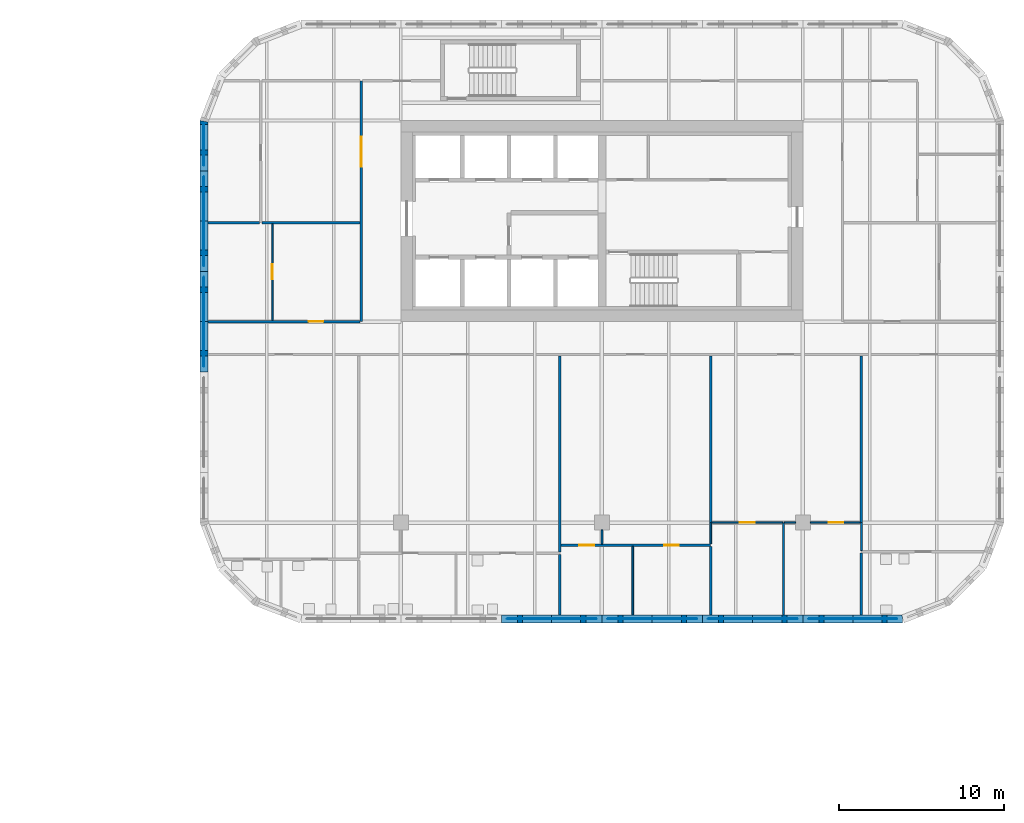
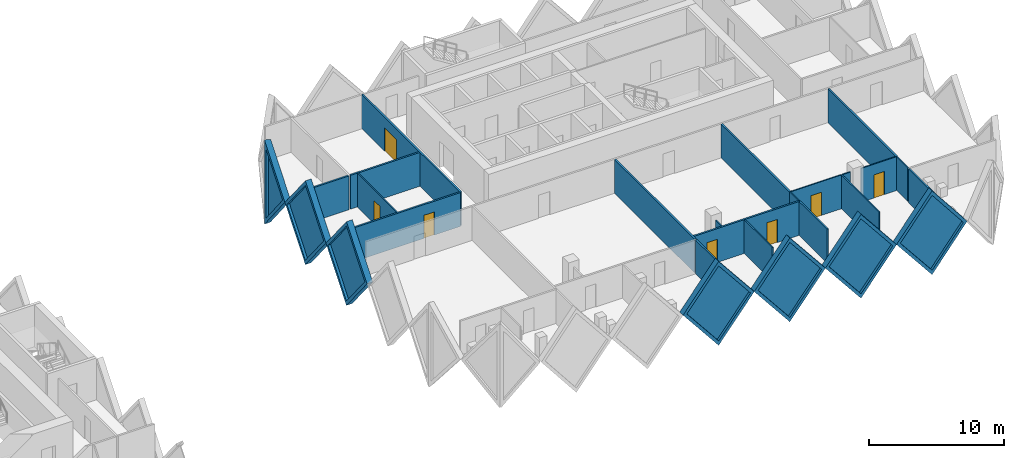
# One storey, part 12 of 20: 27 walls, 7 doors, 7 plates, 14 openings.
"""IFC4 building model written with IfcOpenShell, lengths in metres."""

from ifc_helpers import new_model, si_unit, direction, frame, frame_2d, origin, place, context, subcontext, project, spatial, polyline, rectangle, outline, extrude, faceted_brep, source, transform, mapped, material, layer, layer_set, type_object, element, fill, save


model = new_model("IFC4")

# Units and contexts
model_context = context("Model", 3, precision=1e-05, world=origin(), true_north=direction((0.0, 1.0)))
body_context = subcontext(model_context, "Body", "Model", "MODEL_VIEW")
ifc_project = project(units=[si_unit("LENGTHUNIT", "METRE"), si_unit("AREAUNIT", "SQUARE_METRE"), si_unit("VOLUMEUNIT", "CUBIC_METRE"), si_unit("PLANEANGLEUNIT", "RADIAN"), si_unit("MASSUNIT", "GRAM", prefix="KILO")], contexts=[model_context])

# Site, building, storey
site_placement = place(None, origin())
site = spatial("IfcSite", under=ifc_project, at=site_placement, CompositionType="ELEMENT")
building_placement = place(site_placement, origin())
building = spatial("IfcBuilding", under=site, at=building_placement, Name="Tessera Gate Towers", CompositionType="ELEMENT")
storey_placement = place(building_placement, frame((0.0, 0.0, 52.39990234375)))
storey = spatial("IfcBuildingStorey", under=building, at=storey_placement, Name="L12", CompositionType="ELEMENT", Elevation=52.39990234375)

# Wall, opening, door
ifc_material_1 = material(Name="Gypsum board on steel studs, mineral wool", Category="steel")
ifc_layer_1 = layer(ifc_material_1, 0.14990234375)
ifc_layer_set_1 = layer_set([ifc_layer_1], Name="CORRIDOR WALL 150")
wall_type_1 = type_object("IfcWallType", Name="CORRIDOR WALL 150", PredefinedType="PARTITIONING", material=ifc_layer_set_1)
wall_1_placement = place(storey_placement, frame((85.89990234375, 36.60009765625, 0.0), z_axis=(0.0, 0.0, 1.0), x_axis=(1.0, 0.0, 0.0)))
wall_1 = element("IfcWall", 1, at=wall_1_placement, inside=storey, type_object=wall_type_1, Name="T2-L12-PW-025", PredefinedType="PARTITIONING", context=body_context, shape_type="SweptSolid", body=[
    extrude(rectangle(XDim=9.22412109375, YDim=0.14990234375, at=frame_2d((4.612060546875, 0.0))), origin(), (0.0, 0.0, 1.0), 3.067138671875),
])
shared_shape_1 = source(origin(), body_context, "Body", "SweptSolid", [
    extrude(rectangle(XDim=0.89990234375, YDim=2.10009765625, at=frame_2d((0.449951171875, 1.050048828125))), frame((0.0, 0.0849609375, 0.0), z_axis=(0.0, -1.0, 0.0), x_axis=(1.0, 0.0, 0.0)), (0.0, 0.0, 1.0), 0.169921875),
])
opening_1_placement = place(wall_1_placement, frame((6.10009765625, 0.0, 0.0)))
opening_1 = element("IfcOpeningElement", 2, at=opening_1_placement, cuts=wall_1, Name="Opening D890FD60-B05-02", PredefinedType="OPENING", context=body_context, shape_type="MappedRepresentation", body=[
    mapped(shared_shape_1, transform((0.0, 0.0, 0.0), scale=1.0)),
])
ifc_material_2 = material(Name="Timber door leaf in steel frame", Category="steel")
door_type_1 = type_object("IfcDoorType", Name="CORRIDOR DOOR 900 FD60", OperationType="NOTDEFINED", PredefinedType="DOOR", material=ifc_material_2)
shared_shape_2 = source(origin(), body_context, "Body", "SweptSolid", [
    extrude(rectangle(XDim=0.89990234375, YDim=2.10009765625, at=frame_2d((0.449951171875, 1.050048828125))), frame((0.0, 0.02490234375, 0.0), z_axis=(0.0, -1.0, 0.0), x_axis=(1.0, 0.0, 0.0)), (0.0, 0.0, 1.0), 0.050048828125),
])
door_1_placement = place(opening_1_placement, origin())
door_1 = element("IfcDoor", 3, at=door_1_placement, inside=storey, type_object=door_type_1, Name="T2-L12-PD-022", OperationType="SINGLE_SWING_LEFT", OverallHeight=2.10009765625, OverallWidth=0.89990234375, PredefinedType="DOOR", context=body_context, shape_type="MappedRepresentation", body=[
    mapped(shared_shape_2, transform((0.0, 0.0, 0.0), scale=1.0)),
])
fill(opening_1, door_1)

wall_2_placement = place(storey_placement, frame((95.199951171875, 36.60009765625, 0.0), z_axis=(0.0, 0.0, 1.0), x_axis=(0.0, 1.0, 0.0)))
wall_2 = element("IfcWall", 4, at=wall_2_placement, inside=storey, type_object=wall_type_1, Name="T2-L12-PW-026", PredefinedType="PARTITIONING", context=body_context, shape_type="SweptSolid", body=[
    extrude(rectangle(XDim=14.599853515625, YDim=0.14990234375, at=frame_2d((7.2998046875, 0.0))), origin(), (0.0, 0.0, 1.0), 3.067138671875),
])
shared_shape_3 = source(origin(), body_context, "Body", "SweptSolid", [
    extrude(rectangle(XDim=1.800048828125, YDim=2.10009765625, at=frame_2d((0.89990234375, 1.050048828125))), frame((0.0, 0.0849609375, 0.0), z_axis=(0.0, -1.0, 0.0), x_axis=(1.0, 0.0, 0.0)), (0.0, 0.0, 1.0), 0.169921875),
])
opening_2_placement = place(wall_2_placement, frame((9.39990234375, 0.0, 0.0)))
opening_2 = element("IfcOpeningElement", 5, at=opening_2_placement, cuts=wall_2, Name="Opening D2180FD60-B05-01", PredefinedType="OPENING", context=body_context, shape_type="MappedRepresentation", body=[
    mapped(shared_shape_3, transform((0.0, 0.0, 0.0), scale=1.0)),
])
ifc_material_3 = material(Name="Timber door leaf in steel frame", Category="steel")
door_type_2 = type_object("IfcDoorType", Name="TENANCY ENTRANCE DOUBLE DOOR 1800 FD60", OperationType="NOTDEFINED", PredefinedType="DOOR", material=ifc_material_3)
shared_shape_4 = source(origin(), body_context, "Body", "SweptSolid", [
    extrude(rectangle(XDim=1.800048828125, YDim=2.10009765625, at=frame_2d((0.89990234375, 1.050048828125))), frame((0.0, 0.02490234375, 0.0), z_axis=(0.0, -1.0, 0.0), x_axis=(1.0, 0.0, 0.0)), (0.0, 0.0, 1.0), 0.050048828125),
])
door_2_placement = place(opening_2_placement, origin())
door_2 = element("IfcDoor", 6, at=door_2_placement, inside=storey, type_object=door_type_2, Name="T2-L12-PD-016", OperationType="DOUBLE_DOOR_SINGLE_SWING", OverallHeight=2.10009765625, OverallWidth=1.800048828125, PredefinedType="DOOR", context=body_context, shape_type="MappedRepresentation", body=[
    mapped(shared_shape_4, transform((0.0, 0.0, 0.0), scale=1.0)),
])
fill(opening_2, door_2)

# Walls
ifc_material_4 = material(Name="Glass", Category="glass")
ifc_layer_2 = layer(ifc_material_4, 0.10009765625)
ifc_layer_set_2 = layer_set([ifc_layer_2], Name="GLAZED PARTITION 100")
wall_type_2 = type_object("IfcWallType", Name="GLAZED PARTITION 100", PredefinedType="PARTITIONING", material=ifc_layer_set_2)
wall_3_placement = place(storey_placement, frame((125.550048828125, 22.700927734375, 0.0), z_axis=(0.0, 0.0, 1.0), x_axis=(0.0, 1.0, 0.0)))
element("IfcWall", 7, at=wall_3_placement, inside=storey, type_object=wall_type_2, Name="T2-L12-PW-014", PredefinedType="PARTITIONING", context=body_context, shape_type="SweptSolid", body=[
    extrude(rectangle(XDim=1.697998046875, YDim=0.10009765625, at=frame_2d((0.84912109375, 0.0))), origin(), (0.0, 0.0, 1.0), 3.067138671875),
])
wall_4_placement = place(storey_placement, frame((116.39990234375, 23.10107421875, 0.0), z_axis=(0.0, 0.0, 1.0), x_axis=(0.0, 1.0, 0.0)))
element("IfcWall", 8, at=wall_4_placement, inside=storey, type_object=wall_type_2, Name="T2-L12-PW-016", PredefinedType="PARTITIONING", context=body_context, shape_type="SweptSolid", body=[
    extrude(rectangle(XDim=1.2978515625, YDim=0.10009765625, at=frame_2d((0.64892578125, 0.0))), origin(), (0.0, 0.0, 1.0), 3.067138671875),
])

# Wall, opening, door
wall_5_placement = place(storey_placement, frame((120.769287109375, 24.39990234375, 0.0), z_axis=(0.0, 0.0, 1.0), x_axis=(-1.0, 0.0, 0.0)))
wall_5 = element("IfcWall", 9, at=wall_5_placement, inside=storey, type_object=wall_type_2, Name="T2-L12-PW-020", PredefinedType="PARTITIONING", context=body_context, shape_type="SweptSolid", body=[
    extrude(rectangle(XDim=4.293212890625, YDim=0.10009765625, at=frame_2d((2.146484375, 0.0))), origin(), (0.0, 0.0, 1.0), 3.067138671875),
])
shared_shape_5 = source(origin(), body_context, "Body", "SweptSolid", [
    extrude(rectangle(XDim=0.89990234375, YDim=2.10009765625, at=frame_2d((0.449951171875, 1.050048828125))), frame((0.0, 0.06005859375, 0.0), z_axis=(0.0, -1.0, 0.0), x_axis=(1.0, 0.0, 0.0)), (0.0, 0.0, 1.0), 0.1201171875),
])
opening_3_placement = place(wall_5_placement, frame((1.693359375, 0.0, 0.0)))
opening_3 = element("IfcOpeningElement", 10, at=opening_3_placement, cuts=wall_5, Name="Opening D690-B05-02", PredefinedType="OPENING", context=body_context, shape_type="MappedRepresentation", body=[
    mapped(shared_shape_5, transform((0.0, 0.0, 0.0), scale=1.0)),
])
ifc_material_5 = material(Name="Glass in aluminium frame", Category="aluminium")
door_type_3 = type_object("IfcDoorType", Name="GLAZED DOOR 900 NOT RATED", OperationType="NOTDEFINED", PredefinedType="DOOR", material=ifc_material_5)
door_3_placement = place(opening_3_placement, origin())
door_3 = element("IfcDoor", 11, at=door_3_placement, inside=storey, type_object=door_type_3, Name="T2-L12-PD-004", OperationType="SINGLE_SWING_RIGHT", OverallHeight=2.10009765625, OverallWidth=0.89990234375, PredefinedType="DOOR", context=body_context, shape_type="MappedRepresentation", body=[
    mapped(shared_shape_2, transform((0.0, 0.0, 0.0), scale=1.0)),
])
fill(opening_3, door_3)

# Wall
wall_6_placement = place(storey_placement, frame((120.871337890625, 24.39990234375, 0.0), z_axis=(0.0, 0.0, 1.0), x_axis=(1.0, 0.0, 0.0)))
element("IfcWall", 12, at=wall_6_placement, inside=storey, type_object=wall_type_2, Name="T2-L12-PW-021", PredefinedType="PARTITIONING", context=body_context, shape_type="SweptSolid", body=[
    extrude(rectangle(XDim=0.677734375, YDim=0.10009765625, at=frame_2d((0.3388671875, 0.0))), origin(), (0.0, 0.0, 1.0), 3.067138671875),
])

# Wall, opening, door
wall_7_placement = place(storey_placement, frame((125.47412109375, 24.39990234375, 0.0), z_axis=(0.0, 0.0, 1.0), x_axis=(-1.0, 0.0, 0.0)))
wall_7 = element("IfcWall", 13, at=wall_7_placement, inside=storey, type_object=wall_type_2, Name="T2-L12-PW-022", PredefinedType="PARTITIONING", context=body_context, shape_type="SweptSolid", body=[
    extrude(rectangle(XDim=3.023193359375, YDim=0.10009765625, at=frame_2d((1.51171875, 0.0))), origin(), (0.0, 0.0, 1.0), 3.067138671875),
])
opening_4_placement = place(wall_7_placement, frame((1.02294921875, 0.0, 0.0)))
opening_4 = element("IfcOpeningElement", 14, at=opening_4_placement, cuts=wall_7, Name="Opening D690-B05-01", PredefinedType="OPENING", context=body_context, shape_type="MappedRepresentation", body=[
    mapped(shared_shape_5, transform((0.0, 0.0, 0.0), scale=1.0)),
])
door_4_placement = place(opening_4_placement, origin())
door_4 = element("IfcDoor", 15, at=door_4_placement, inside=storey, type_object=door_type_3, Name="T2-L12-PD-002", OperationType="SINGLE_SWING_RIGHT", OverallHeight=2.10009765625, OverallWidth=0.89990234375, PredefinedType="DOOR", context=body_context, shape_type="MappedRepresentation", body=[
    mapped(shared_shape_2, transform((0.0, 0.0, 0.0), scale=1.0)),
])
fill(opening_4, door_4)

wall_8_placement = place(storey_placement, frame((89.800048828125, 36.676025390625, 0.0), z_axis=(0.0, 0.0, 1.0), x_axis=(0.0, 1.0, 0.0)))
wall_8 = element("IfcWall", 16, at=wall_8_placement, inside=storey, type_object=wall_type_2, Name="T2-L12-PW-029", PredefinedType="PARTITIONING", context=body_context, shape_type="SweptSolid", body=[
    extrude(rectangle(XDim=5.847900390625, YDim=0.10009765625, at=frame_2d((2.923828125, 0.0))), origin(), (0.0, 0.0, 1.0), 3.067138671875),
])
opening_5_placement = place(wall_8_placement, frame((2.5, 0.0, 0.0)))
opening_5 = element("IfcOpeningElement", 17, at=opening_5_placement, cuts=wall_8, Name="Opening D690-B05-03", PredefinedType="OPENING", context=body_context, shape_type="MappedRepresentation", body=[
    mapped(shared_shape_5, transform((0.0, 0.0, 0.0), scale=1.0)),
])
door_5_placement = place(opening_5_placement, origin())
door_5 = element("IfcDoor", 18, at=door_5_placement, inside=storey, type_object=door_type_3, Name="T2-L12-PD-010", OperationType="SINGLE_SWING_LEFT", OverallHeight=2.10009765625, OverallWidth=0.89990234375, PredefinedType="DOOR", context=body_context, shape_type="MappedRepresentation", body=[
    mapped(shared_shape_2, transform((0.0, 0.0, 0.0), scale=1.0)),
])
fill(opening_5, door_5)

# Walls
ifc_material_6 = material(Name="Gypsum board on steel studs", Category="steel")
ifc_layer_3 = layer(ifc_material_6, 0.10009765625)
ifc_layer_set_3 = layer_set([ifc_layer_3], Name="PARTITION 100")
wall_type_3 = type_object("IfcWallType", Name="PARTITION 100", PredefinedType="PARTITIONING", material=ifc_layer_set_3)
wall_9_placement = place(storey_placement, frame((111.669921875, 18.800048828125, 0.0), z_axis=(0.0, 0.0, 1.0), x_axis=(0.0, 1.0, 0.0)))
element("IfcWall", 19, at=wall_9_placement, inside=storey, type_object=wall_type_3, Name="T2-L12-PW-004", PredefinedType="PARTITIONING", context=body_context, shape_type="SweptSolid", body=[
    extrude(rectangle(XDim=4.14892578125, YDim=0.10009765625, at=frame_2d((2.074462890625, 0.0))), origin(), (0.0, 0.0, 1.0), 3.067138671875),
])
wall_10_placement = place(storey_placement, frame((120.820068359375, 18.800048828125, 0.0), z_axis=(0.0, 0.0, 1.0), x_axis=(0.0, 1.0, 0.0)))
element("IfcWall", 20, at=wall_10_placement, inside=storey, type_object=wall_type_3, Name="T2-L12-PW-006", PredefinedType="PARTITIONING", context=body_context, shape_type="SweptSolid", body=[
    extrude(rectangle(XDim=5.599853515625, YDim=0.10009765625, at=frame_2d((2.7998046875, 0.0))), origin(), (0.0, 0.0, 1.0), 3.067138671875),
])
wall_11_placement = place(storey_placement, frame((109.800048828125, 23.949951171875, 0.0), z_axis=(0.0, 0.0, 1.0), x_axis=(0.0, -1.0, 0.0)))
element("IfcWall", 21, at=wall_11_placement, inside=storey, type_object=wall_type_3, Name="T2-L12-PW-018", PredefinedType="PARTITIONING", context=body_context, shape_type="SweptSolid", body=[
    extrude(rectangle(XDim=0.849853515625, YDim=0.10009765625, at=frame_2d((0.4248046875, 0.0))), origin(), (0.0, 0.0, 1.0), 3.067138671875),
])
ifc_material_7 = material(Name="Gypsum board on steel studs, mineral wool", Category="steel")
ifc_layer_4 = layer(ifc_material_7, 0.14990234375)
ifc_layer_set_4 = layer_set([ifc_layer_4], Name="TENANCY WALL 150")
wall_type_4 = type_object("IfcWallType", Name="TENANCY WALL 150", PredefinedType="PARTITIONING", material=ifc_layer_set_4)
wall_12_placement = place(storey_placement, frame((107.25, 18.800048828125, 0.0), z_axis=(0.0, 0.0, 1.0), x_axis=(0.0, 1.0, 0.0)))
element("IfcWall", 22, at=wall_12_placement, inside=storey, type_object=wall_type_4, Name="T2-L12-PW-003", PredefinedType="PARTITIONING", context=body_context, shape_type="SweptSolid", body=[
    extrude(rectangle(XDim=3.674072265625, YDim=0.14990234375, at=frame_2d((1.8369140625, 0.0))), origin(), (0.0, 0.0, 1.0), 3.067138671875),
])
wall_13_placement = place(storey_placement, frame((116.39990234375, 18.800048828125, 0.0), z_axis=(0.0, 0.0, 1.0), x_axis=(0.0, 1.0, 0.0)))
element("IfcWall", 23, at=wall_13_placement, inside=storey, type_object=wall_type_4, Name="T2-L12-PW-005", PredefinedType="PARTITIONING", context=body_context, shape_type="SweptSolid", body=[
    extrude(rectangle(XDim=4.14892578125, YDim=0.14990234375, at=frame_2d((2.074462890625, 0.0))), origin(), (0.0, 0.0, 1.0), 3.067138671875),
])
wall_14_placement = place(storey_placement, frame((125.550048828125, 18.800048828125, 0.0), z_axis=(0.0, 0.0, 1.0), x_axis=(0.0, 1.0, 0.0)))
element("IfcWall", 24, at=wall_14_placement, inside=storey, type_object=wall_type_4, Name="T2-L12-PW-007", PredefinedType="PARTITIONING", context=body_context, shape_type="SweptSolid", body=[
    extrude(rectangle(XDim=3.7490234375, YDim=0.14990234375, at=frame_2d((1.87451171875, 0.0))), origin(), (0.0, 0.0, 1.0), 3.067138671875),
])
wall_15_placement = place(storey_placement, frame((107.25, 22.6259765625, 0.0), z_axis=(0.0, 0.0, 1.0), x_axis=(0.0, 1.0, 0.0)))
element("IfcWall", 25, at=wall_15_placement, inside=storey, type_object=wall_type_4, Name="T2-L12-PW-013", PredefinedType="PARTITIONING", context=body_context, shape_type="SweptSolid", body=[
    extrude(rectangle(XDim=11.89794921875, YDim=0.14990234375, at=frame_2d((5.948974609375, 0.0))), origin(), (0.0, 0.0, 1.0), 3.067138671875),
])

# Wall, openings, doors
wall_16_placement = place(storey_placement, frame((116.39990234375, 23.02490234375, 0.0), z_axis=(0.0, 0.0, 1.0), x_axis=(-1.0, 0.0, 0.0)))
wall_16 = element("IfcWall", 26, at=wall_16_placement, inside=storey, type_object=wall_type_4, Name="T2-L12-PW-015", PredefinedType="PARTITIONING", context=body_context, shape_type="SweptSolid", body=[
    extrude(rectangle(XDim=9.073974609375, YDim=0.14990234375, at=frame_2d((4.537109375, 0.0))), origin(), (0.0, 0.0, 1.0), 3.067138671875),
])
opening_6_placement = place(wall_16_placement, frame((7.073974609375, 0.0, 0.0)))
opening_6 = element("IfcOpeningElement", 27, at=opening_6_placement, cuts=wall_16, Name="Opening D190-B05-03", PredefinedType="OPENING", context=body_context, shape_type="MappedRepresentation", body=[
    mapped(shared_shape_1, transform((0.0, 0.0, 0.0), scale=1.0)),
])
opening_7_placement = place(wall_16_placement, frame((1.9296875, 0.0, 0.0)))
opening_7 = element("IfcOpeningElement", 28, at=opening_7_placement, cuts=wall_16, Name="Opening D190-B05-05", PredefinedType="OPENING", context=body_context, shape_type="MappedRepresentation", body=[
    mapped(shared_shape_1, transform((0.0, 0.0, 0.0), scale=1.0)),
])
ifc_material_8 = material(Name="Timber door leaf in steel frame", Category="steel")
door_type_4 = type_object("IfcDoorType", Name="INTERNAL DOOR 900 NOT RATED", OperationType="NOTDEFINED", PredefinedType="DOOR", material=ifc_material_8)
door_6_placement = place(opening_6_placement, origin())
door_6 = element("IfcDoor", 29, at=door_6_placement, inside=storey, type_object=door_type_4, Name="T2-L12-PD-005", OperationType="SINGLE_SWING_LEFT", OverallHeight=2.10009765625, OverallWidth=0.89990234375, PredefinedType="DOOR", context=body_context, shape_type="MappedRepresentation", body=[
    mapped(shared_shape_2, transform((0.0, 0.0, 0.0), scale=1.0)),
])
fill(opening_6, door_6)
door_7_placement = place(opening_7_placement, origin())
door_7 = element("IfcDoor", 30, at=door_7_placement, inside=storey, type_object=door_type_4, Name="T2-L12-PD-008", OperationType="SINGLE_SWING_RIGHT", OverallHeight=2.10009765625, OverallWidth=0.89990234375, PredefinedType="DOOR", context=body_context, shape_type="MappedRepresentation", body=[
    mapped(shared_shape_2, transform((0.0, 0.0, 0.0), scale=1.0)),
])
fill(opening_7, door_7)

# Walls
for number, where, z_axis, x_axis, name in (
    (31, (116.39990234375, 24.39990234375, 0.0), (0.0, 0.0, 1.0), (0.0, 1.0, 0.0), "T2-L12-PW-019"),
    (32, (125.550048828125, 24.39990234375, 0.0), (0.0, 0.0, 1.0), (0.0, 1.0, 0.0), "T2-L12-PW-023"),
):
    element("IfcWall", number, at=place(storey_placement, frame(where, z_axis=z_axis, x_axis=x_axis)), inside=storey, type_object=wall_type_4, Name=name, PredefinedType="PARTITIONING", context=body_context, shape_type="SweptSolid", body=[
        extrude(rectangle(XDim=10.1240234375, YDim=0.14990234375, at=frame_2d((5.06201171875, 0.0))), origin(), (0.0, 0.0, 1.0), 3.067138671875),
    ])
wall_17_placement = place(storey_placement, frame((85.89990234375, 42.60009765625, 0.0), z_axis=(0.0, 0.0, 1.0), x_axis=(1.0, 0.0, 0.0)))
element("IfcWall", 33, at=wall_17_placement, inside=storey, type_object=wall_type_4, Name="T2-L12-PW-031", PredefinedType="PARTITIONING", context=body_context, shape_type="SweptSolid", body=[
    extrude(rectangle(XDim=3.1240234375, YDim=0.14990234375, at=frame_2d((1.56201171875, 0.0))), origin(), (0.0, 0.0, 1.0), 3.067138671875),
])
wall_18_placement = place(storey_placement, frame((89.176025390625, 42.60009765625, 0.0), z_axis=(0.0, 0.0, 1.0), x_axis=(1.0, 0.0, 0.0)))
element("IfcWall", 34, at=wall_18_placement, inside=storey, type_object=wall_type_4, Name="T2-L12-PW-033", PredefinedType="PARTITIONING", context=body_context, shape_type="SweptSolid", body=[
    extrude(rectangle(XDim=5.947998046875, YDim=0.14990234375, at=frame_2d((2.97412109375, 0.0))), origin(), (0.0, 0.0, 1.0), 3.067138671875),
])

# Wall, opening, plate
ifc_material_9 = material(Name="Precast concrete C60/75 white", Category="concrete")
ifc_layer_5 = layer(ifc_material_9, 0.5)
ifc_layer_set_5 = layer_set([ifc_layer_5], Name="TS3 corner tessera")
wall_type_5 = type_object("IfcWallType", Name="TS3 corner tessera", PredefinedType="SOLIDWALL", material=ifc_layer_set_5)
shared_shape_6 = source(origin(), body_context, "Body", "Brep", [
    faceted_brep([(0.046630859375, -0.25, 0.0), (3.050048828125, -0.25, 3.7998046875), (0.046630859375, -0.25, 7.599853515625), (0.0, -0.25, 7.539794921875), (0.0, -0.25, 0.06005859375), (0.09326171875, 0.25, 7.541015625), (3.050048828125, 0.25, 3.7998046875), (0.09326171875, 0.25, 0.058837890625), (0.046630859375, 0.0, 0.0), (0.046630859375, 0.0, 7.599853515625)], [[[0, 1, 2, 3, 4]], [[5, 6, 7]], [[7, 6, 1, 0, 8]], [[6, 5, 9, 2, 1]], [[3, 2, 9]], [[8, 0, 4]], [[7, 8, 4, 3, 9, 5]]]),
])
wall_19_placement = place(storey_placement, frame((85.64990234375, 48.800048828125, -3.7998046875), z_axis=(0.0, 0.0, 1.0), x_axis=(0.0, -1.0, 0.0)))
wall_19 = element("IfcWall", 35, at=wall_19_placement, inside=storey, type_object=wall_type_5, Name="Precast corner tessera T2 TS3-0172", PredefinedType="SOLIDWALL", context=body_context, shape_type="MappedRepresentation", body=[
    mapped(shared_shape_6, transform((0.0, 0.0, 0.0), scale=1.0)),
])
shared_shape_7 = source(origin(), body_context, "Body", "SweptSolid", [
    extrude(outline(polyline([(0.24658203125, 0.656005859375), (2.7314453125, 3.7998046875), (0.24658203125, 6.943603515625), (0.24658203125, 0.656005859375)])), frame((0.0, 0.260009765625, 0.0), z_axis=(0.0, -1.0, 0.0), x_axis=(1.0, 0.0, 0.0)), (0.0, 0.0, 1.0), 0.52001953125),
])
opening_8_placement = place(wall_19_placement, origin())
opening_8 = element("IfcOpeningElement", 36, at=opening_8_placement, cuts=wall_19, Name="Opening T2-PL2-0264", PredefinedType="OPENING", context=body_context, shape_type="MappedRepresentation", body=[
    mapped(shared_shape_7, transform((0.0, 0.0, 0.0), scale=1.0)),
])
ifc_material_10 = material(Name="Low-e laminated glass", Category="glass")
ifc_layer_6 = layer(ifc_material_10, 0.06005859375)
ifc_layer_set_6 = layer_set([ifc_layer_6], Name="PL2 rhombic pane")
plate_type = type_object("IfcPlateType", Name="PL2 rhombic pane", PredefinedType="SHEET", material=ifc_layer_set_6)
shared_shape_8 = source(origin(), body_context, "Body", "SweptSolid", [
    extrude(outline(polyline([(0.24658203125, 0.656005859375), (2.7314453125, 3.7998046875), (0.24658203125, 6.943603515625), (0.24658203125, 0.656005859375)])), frame((0.0, 0.030029296875, 0.0), z_axis=(0.0, -1.0, 0.0), x_axis=(1.0, 0.0, 0.0)), (0.0, 0.0, 1.0), 0.06005859375),
])
plate_1_placement = place(opening_8_placement, origin())
plate_1 = element("IfcPlate", 37, at=plate_1_placement, inside=storey, type_object=plate_type, Name="Glass pane T2 PL2-0264", PredefinedType="SHEET", context=body_context, shape_type="MappedRepresentation", body=[
    mapped(shared_shape_8, transform((0.0, 0.0, 0.0), scale=1.0)),
])
fill(opening_8, plate_1)

ifc_material_11 = material(Name="Precast concrete C60/75 white", Category="concrete")
ifc_layer_7 = layer(ifc_material_11, 0.5)
ifc_layer_set_7 = layer_set([ifc_layer_7], Name="TS1 tessera")
wall_type_6 = type_object("IfcWallType", Name="TS1 tessera", PredefinedType="SOLIDWALL", material=ifc_layer_set_7)
shared_shape_9 = source(origin(), body_context, "Body", "Brep", [
    faceted_brep([(3.050048828125, -0.25, 0.0), (6.099853515625, -0.25, 3.799560546875), (6.099853515625, -0.25, 3.800048828125), (3.050048828125, -0.25, 7.599853515625), (0.0, -0.25, 3.7998046875), (0.0, 0.25, 3.7998046875), (3.050048828125, 0.25, 7.599853515625), (6.099853515625, 0.25, 3.800048828125), (6.099853515625, 0.25, 3.799560546875), (3.050048828125, 0.25, 0.0)], [[[0, 1, 2, 3, 4]], [[5, 6, 7, 8, 9]], [[9, 8, 1, 0]], [[7, 6, 3, 2]], [[6, 5, 4, 3]], [[5, 9, 0, 4]], [[1, 8, 7, 2]]]),
])
wall_20_placement = place(storey_placement, frame((109.800048828125, 18.550048828125, -3.7998046875), z_axis=(0.0, 0.0, 1.0), x_axis=(1.0, 0.0, 0.0)))
wall_20 = element("IfcWall", 38, at=wall_20_placement, inside=storey, type_object=wall_type_6, Name="Precast tessera T2 TS1-0129", PredefinedType="SOLIDWALL", context=body_context, shape_type="MappedRepresentation", body=[
    mapped(shared_shape_9, transform((0.0, 0.0, 0.0), scale=1.0)),
])
shared_shape_10 = source(origin(), body_context, "Body", "SweptSolid", [
    extrude(outline(polyline([(3.050048828125, 0.3994140625), (5.779541015625, 3.7998046875), (3.050048828125, 7.200439453125), (0.320556640625, 3.7998046875), (3.050048828125, 0.3994140625)])), frame((0.0, 0.260009765625, 0.0), z_axis=(0.0, -1.0, 0.0), x_axis=(1.0, 0.0, 0.0)), (0.0, 0.0, 1.0), 0.52001953125),
])
opening_9_placement = place(wall_20_placement, origin())
opening_9 = element("IfcOpeningElement", 39, at=opening_9_placement, cuts=wall_20, Name="Opening T2-PL2-0241", PredefinedType="OPENING", context=body_context, shape_type="MappedRepresentation", body=[
    mapped(shared_shape_10, transform((0.0, 0.0, 0.0), scale=1.0)),
])
shared_shape_11 = source(origin(), body_context, "Body", "SweptSolid", [
    extrude(outline(polyline([(3.050048828125, 0.3994140625), (5.779541015625, 3.7998046875), (3.050048828125, 7.200439453125), (0.320556640625, 3.7998046875), (3.050048828125, 0.3994140625)])), frame((0.0, 0.030029296875, 0.0), z_axis=(0.0, -1.0, 0.0), x_axis=(1.0, 0.0, 0.0)), (0.0, 0.0, 1.0), 0.06005859375),
])
plate_2_placement = place(opening_9_placement, origin())
plate_2 = element("IfcPlate", 40, at=plate_2_placement, inside=storey, type_object=plate_type, Name="Glass pane T2 PL2-0241", PredefinedType="SHEET", context=body_context, shape_type="MappedRepresentation", body=[
    mapped(shared_shape_11, transform((0.0, 0.0, 0.0), scale=1.0)),
])
fill(opening_9, plate_2)

wall_21_placement = place(storey_placement, frame((85.64990234375, 39.64990234375, -3.7998046875), z_axis=(0.0, 0.0, 1.0), x_axis=(0.0, -1.0, 0.0)))
wall_21 = element("IfcWall", 41, at=wall_21_placement, inside=storey, type_object=wall_type_6, Name="Precast tessera T2 TS1-0142", PredefinedType="SOLIDWALL", context=body_context, shape_type="MappedRepresentation", body=[
    mapped(shared_shape_9, transform((0.0, 0.0, 0.0), scale=1.0)),
])
opening_10_placement = place(wall_21_placement, origin())
opening_10 = element("IfcOpeningElement", 42, at=opening_10_placement, cuts=wall_21, Name="Opening T2-PL2-0266", PredefinedType="OPENING", context=body_context, shape_type="MappedRepresentation", body=[
    mapped(shared_shape_10, transform((0.0, 0.0, 0.0), scale=1.0)),
])
plate_3_placement = place(opening_10_placement, origin())
plate_3 = element("IfcPlate", 43, at=plate_3_placement, inside=storey, type_object=plate_type, Name="Glass pane T2 PL2-0266", PredefinedType="SHEET", context=body_context, shape_type="MappedRepresentation", body=[
    mapped(shared_shape_11, transform((0.0, 0.0, 0.0), scale=1.0)),
])
fill(opening_10, plate_3)

shared_shape_12 = source(origin(), body_context, "Body", "SweptSolid", [
    extrude(outline(polyline([(3.050048828125, 0.0), (6.10009765625, 3.7998046875), (3.050048828125, 7.599853515625), (0.0, 3.7998046875), (3.050048828125, 0.0)])), frame((0.0, 0.25, 0.0), z_axis=(0.0, -1.0, 0.0), x_axis=(1.0, 0.0, 0.0)), (0.0, 0.0, 1.0), 0.5),
])
wall_22_placement = place(storey_placement, frame((103.699951171875, 18.550048828125, -3.7998046875), z_axis=(0.0, 0.0, 1.0), x_axis=(1.0, 0.0, 0.0)))
wall_22 = element("IfcWall", 44, at=wall_22_placement, inside=storey, type_object=wall_type_6, Name="Precast tessera T2 TS1-0128", PredefinedType="SOLIDWALL", context=body_context, shape_type="MappedRepresentation", body=[
    mapped(shared_shape_12, transform((0.0, 0.0, 0.0), scale=1.0)),
])
opening_11_placement = place(wall_22_placement, origin())
opening_11 = element("IfcOpeningElement", 45, at=opening_11_placement, cuts=wall_22, Name="Opening T2-PL2-0240", PredefinedType="OPENING", context=body_context, shape_type="MappedRepresentation", body=[
    mapped(shared_shape_10, transform((0.0, 0.0, 0.0), scale=1.0)),
])
plate_4_placement = place(opening_11_placement, origin())
plate_4 = element("IfcPlate", 46, at=plate_4_placement, inside=storey, type_object=plate_type, Name="Glass pane T2 PL2-0240", PredefinedType="SHEET", context=body_context, shape_type="MappedRepresentation", body=[
    mapped(shared_shape_11, transform((0.0, 0.0, 0.0), scale=1.0)),
])
fill(opening_11, plate_4)

wall_23_placement = place(storey_placement, frame((115.89990234375, 18.550048828125, -3.7998046875), z_axis=(0.0, 0.0, 1.0), x_axis=(1.0, 0.0, 0.0)))
wall_23 = element("IfcWall", 47, at=wall_23_placement, inside=storey, type_object=wall_type_6, Name="Precast tessera T2 TS1-0130", PredefinedType="SOLIDWALL", context=body_context, shape_type="MappedRepresentation", body=[
    mapped(shared_shape_12, transform((0.0, 0.0, 0.0), scale=1.0)),
])
opening_12_placement = place(wall_23_placement, origin())
opening_12 = element("IfcOpeningElement", 48, at=opening_12_placement, cuts=wall_23, Name="Opening T2-PL2-0242", PredefinedType="OPENING", context=body_context, shape_type="MappedRepresentation", body=[
    mapped(shared_shape_10, transform((0.0, 0.0, 0.0), scale=1.0)),
])
plate_5_placement = place(opening_12_placement, origin())
plate_5 = element("IfcPlate", 49, at=plate_5_placement, inside=storey, type_object=plate_type, Name="Glass pane T2 PL2-0242", PredefinedType="SHEET", context=body_context, shape_type="MappedRepresentation", body=[
    mapped(shared_shape_11, transform((0.0, 0.0, 0.0), scale=1.0)),
])
fill(opening_12, plate_5)

wall_24_placement = place(storey_placement, frame((85.64990234375, 45.75, -3.7998046875), z_axis=(0.0, 0.0, 1.0), x_axis=(0.0, -1.0, 0.0)))
wall_24 = element("IfcWall", 50, at=wall_24_placement, inside=storey, type_object=wall_type_6, Name="Precast tessera T2 TS1-0141", PredefinedType="SOLIDWALL", context=body_context, shape_type="MappedRepresentation", body=[
    mapped(shared_shape_12, transform((0.0, 0.0, 0.0), scale=1.0)),
])
opening_13_placement = place(wall_24_placement, origin())
opening_13 = element("IfcOpeningElement", 51, at=opening_13_placement, cuts=wall_24, Name="Opening T2-PL2-0265", PredefinedType="OPENING", context=body_context, shape_type="MappedRepresentation", body=[
    mapped(shared_shape_10, transform((0.0, 0.0, 0.0), scale=1.0)),
])
plate_6_placement = place(opening_13_placement, origin())
plate_6 = element("IfcPlate", 52, at=plate_6_placement, inside=storey, type_object=plate_type, Name="Glass pane T2 PL2-0265", PredefinedType="SHEET", context=body_context, shape_type="MappedRepresentation", body=[
    mapped(shared_shape_11, transform((0.0, 0.0, 0.0), scale=1.0)),
])
fill(opening_13, plate_6)

shared_shape_13 = source(origin(), body_context, "Body", "Brep", [
    faceted_brep([(3.050048828125, -0.25, 0.0), (6.053466796875, -0.25, 3.7998046875), (3.050048828125, -0.25, 7.599853515625), (0.0, -0.25, 3.7998046875), (0.0, 0.25, 3.7998046875), (3.050048828125, 0.25, 7.599853515625), (6.0068359375, 0.25, 3.858642578125), (6.0068359375, 0.25, 3.740966796875), (3.050048828125, 0.25, 0.0), (6.053466796875, 0.0, 3.7998046875)], [[[0, 1, 2, 3]], [[4, 5, 6, 7, 8]], [[8, 7, 9, 1, 0]], [[6, 5, 2, 1, 9]], [[5, 4, 3, 2]], [[4, 8, 0, 3]], [[9, 7, 6]]]),
])
wall_25_placement = place(storey_placement, frame((122.0, 18.550048828125, -3.7998046875), z_axis=(0.0, 0.0, 1.0), x_axis=(1.0, 0.0, 0.0)))
wall_25 = element("IfcWall", 53, at=wall_25_placement, inside=storey, type_object=wall_type_6, Name="Precast tessera T2 TS1-0131", PredefinedType="SOLIDWALL", context=body_context, shape_type="MappedRepresentation", body=[
    mapped(shared_shape_13, transform((0.0, 0.0, 0.0), scale=1.0)),
])
shared_shape_14 = source(origin(), body_context, "Body", "SweptSolid", [
    extrude(outline(polyline([(3.048583984375, 0.401123046875), (5.73486328125, 3.7998046875), (3.048583984375, 7.19873046875), (0.320556640625, 3.7998046875), (3.048583984375, 0.401123046875)])), frame((0.0, 0.260009765625, 0.0), z_axis=(0.0, -1.0, 0.0), x_axis=(1.0, 0.0, 0.0)), (0.0, 0.0, 1.0), 0.52001953125),
])
opening_14_placement = place(wall_25_placement, origin())
opening_14 = element("IfcOpeningElement", 54, at=opening_14_placement, cuts=wall_25, Name="Opening T2-PL2-0243", PredefinedType="OPENING", context=body_context, shape_type="MappedRepresentation", body=[
    mapped(shared_shape_14, transform((0.0, 0.0, 0.0), scale=1.0)),
])
shared_shape_15 = source(origin(), body_context, "Body", "SweptSolid", [
    extrude(outline(polyline([(3.048583984375, 0.401123046875), (5.73486328125, 3.7998046875), (3.048583984375, 7.19873046875), (0.320556640625, 3.7998046875), (3.048583984375, 0.401123046875)])), frame((0.0, 0.030029296875, 0.0), z_axis=(0.0, -1.0, 0.0), x_axis=(1.0, 0.0, 0.0)), (0.0, 0.0, 1.0), 0.06005859375),
])
plate_7_placement = place(opening_14_placement, origin())
plate_7 = element("IfcPlate", 55, at=plate_7_placement, inside=storey, type_object=plate_type, Name="Glass pane T2 PL2-0243", PredefinedType="SHEET", context=body_context, shape_type="MappedRepresentation", body=[
    mapped(shared_shape_15, transform((0.0, 0.0, 0.0), scale=1.0)),
])
fill(opening_14, plate_7)

save(model, "model.ifc")
